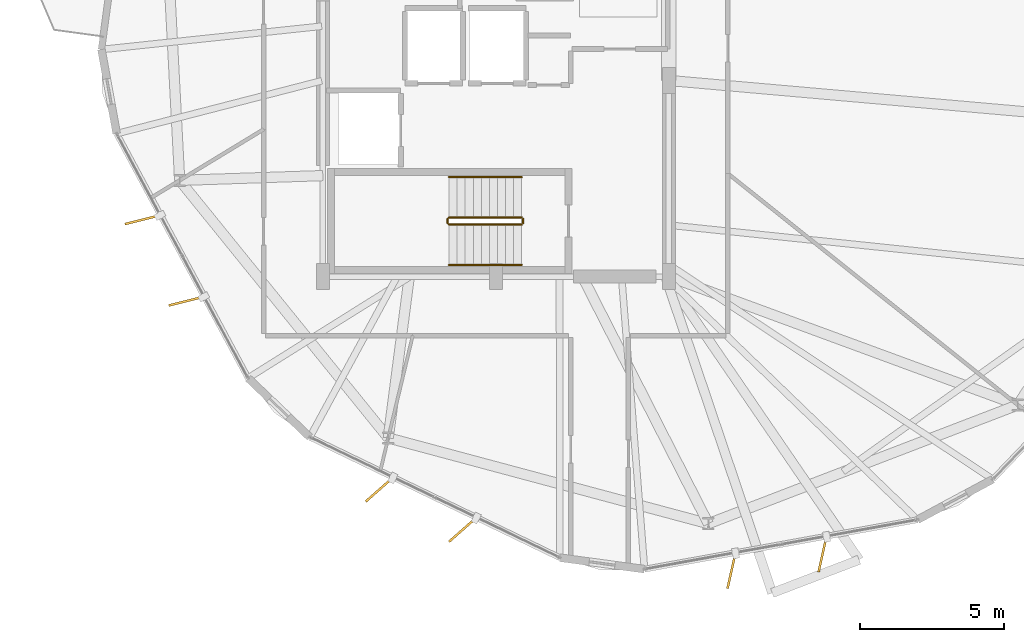
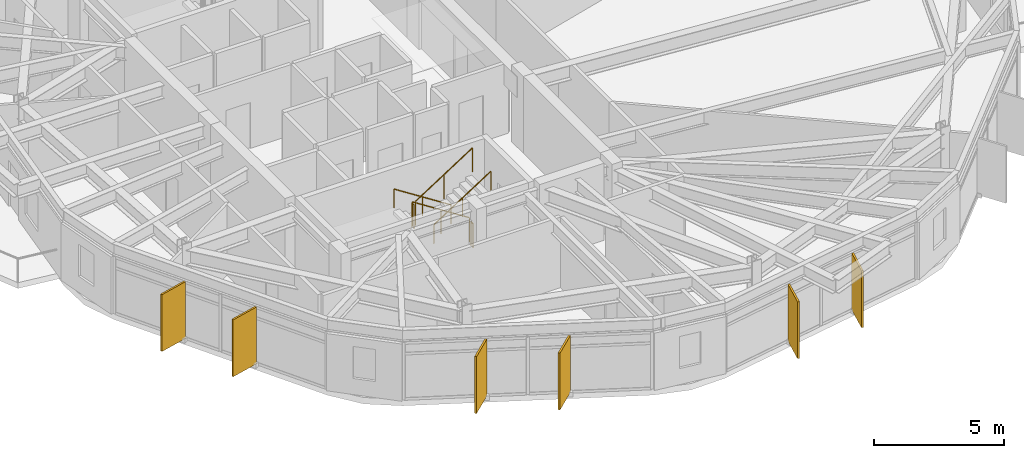
# One storey, part 25 of 27: 6 railings, 6 shading devices.
"""IFC4 building model written with IfcOpenShell, lengths in metres."""

from ifc_helpers import new_model, si_unit, direction, frame, origin, origin_2d, place, context, subcontext, project, spatial, rectangle, circle, extrude, material, layer, layer_set, type_object, element, save


model = new_model("IFC4")

# Units and contexts
model_context = context("Model", 3, precision=1e-05, world=origin(), true_north=direction((0.0, 1.0)))
body_context = subcontext(model_context, "Body", "Model", "MODEL_VIEW")
ifc_project = project(units=[si_unit("LENGTHUNIT", "METRE"), si_unit("AREAUNIT", "SQUARE_METRE"), si_unit("VOLUMEUNIT", "CUBIC_METRE"), si_unit("PLANEANGLEUNIT", "RADIAN"), si_unit("MASSUNIT", "GRAM", prefix="KILO")], contexts=[model_context])

# Site, building, storey
site_placement = place(None, origin())
site = spatial("IfcSite", under=ifc_project, at=site_placement, CompositionType="ELEMENT")
building_placement = place(site_placement, origin())
building = spatial("IfcBuilding", under=site, at=building_placement, Name="Soratama Intermodal Tower", CompositionType="ELEMENT")
storey_placement = place(building_placement, frame((0.0, 0.0, 208.60009765625)))
storey = spatial("IfcBuildingStorey", under=building, at=storey_placement, Name="L52", CompositionType="ELEMENT", Elevation=208.60009765625)

# Railings
ifc_material_1 = material(Name="Painted steel stair guardrail", Category="steel")
railing_type_1 = type_object("IfcRailingType", Name="RL-STAIR-GUARD", PredefinedType="GUARDRAIL", material=ifc_material_1)
railing_1_placement = place(storey_placement, frame((39.5, 17.050048828125, 0.179931640625)))
element("IfcRailing", 1, at=railing_1_placement, inside=storey, type_object=railing_type_1, Name="L52 ST-1 stair guard 1", PredefinedType="GUARDRAIL", context=body_context, shape_type="SweptSolid", body=[
    extrude(circle(Radius=0.02392578125, at=origin_2d()), frame((0.0, 0.0, 1.1259765625), z_axis=(-0.841199657755, 0.0, 0.540724639528), x_axis=(0.0, -1.0, 0.0)), (0.0, 0.0, 1.0), 2.995849609375),
    extrude(circle(Radius=0.02099609375, at=origin_2d()), origin(), (0.0, 0.0, 1.0), 1.101806640625),
    extrude(circle(Radius=0.02099609375, at=origin_2d()), frame((-1.260009765625, 0.0, 0.81005859375)), (0.0, 0.0, 1.0), 1.101806640625),
    extrude(circle(Radius=0.02099609375, at=origin_2d()), frame((-2.52001953125, 0.0, 1.619873046875)), (0.0, 0.0, 1.0), 1.101806640625),
])
railing_2_placement = place(storey_placement, frame((36.929931640625, 17.0, 1.7998046875)))
element("IfcRailing", 2, at=railing_2_placement, inside=storey, type_object=railing_type_1, Name="L52 ST-1 stair guard 2", PredefinedType="GUARDRAIL", context=body_context, shape_type="SweptSolid", body=[
    extrude(circle(Radius=0.02392578125, at=origin_2d()), frame((0.0, 0.0, 1.1259765625), z_axis=(0.0, -1.0, 0.0), x_axis=(1.0, 0.0, 0.0)), (0.0, 0.0, 1.0), 0.14990234375),
    extrude(circle(Radius=0.02099609375, at=origin_2d()), origin(), (0.0, 0.0, 1.0), 1.101806640625),
    extrude(circle(Radius=0.02099609375, at=origin_2d()), frame((0.0, -0.14990234375, 0.0)), (0.0, 0.0, 1.0), 1.101806640625),
])
railing_3_placement = place(storey_placement, frame((36.97998046875, 16.800048828125, 1.97998046875)))
element("IfcRailing", 3, at=railing_3_placement, inside=storey, type_object=railing_type_1, Name="L52 ST-1 stair guard 3", PredefinedType="GUARDRAIL", context=body_context, shape_type="SweptSolid", body=[
    extrude(circle(Radius=0.02392578125, at=origin_2d()), frame((0.0, 0.0, 1.1259765625), z_axis=(0.841199657755, 0.0, 0.540724639528), x_axis=(0.0, 1.0, 0.0)), (0.0, 0.0, 1.0), 2.995849609375),
    extrude(circle(Radius=0.02099609375, at=origin_2d()), origin(), (0.0, 0.0, 1.0), 1.101806640625),
    extrude(circle(Radius=0.02099609375, at=origin_2d()), frame((1.260009765625, 0.0, 0.81005859375)), (0.0, 0.0, 1.0), 1.101806640625),
    extrude(circle(Radius=0.02099609375, at=origin_2d()), frame((2.52001953125, 0.0, 1.619873046875)), (0.0, 0.0, 1.0), 1.101806640625),
])
railing_4_placement = place(storey_placement, frame((39.550048828125, 17.0, 0.0)))
element("IfcRailing", 4, at=railing_4_placement, inside=storey, type_object=railing_type_1, Name="L52 ST-1 stair guard 4", PredefinedType="GUARDRAIL", context=body_context, shape_type="SweptSolid", body=[
    extrude(circle(Radius=0.02392578125, at=origin_2d()), frame((0.0, 0.0, 1.1259765625), z_axis=(0.0, -1.0, 0.0), x_axis=(1.0, 0.0, 0.0)), (0.0, 0.0, 1.0), 0.14990234375),
    extrude(circle(Radius=0.02099609375, at=origin_2d()), origin(), (0.0, 0.0, 1.0), 1.101806640625),
    extrude(circle(Radius=0.02099609375, at=origin_2d()), frame((0.0, -0.14990234375, 0.0)), (0.0, 0.0, 1.0), 1.101806640625),
])
ifc_material_2 = material(Name="Brushed stainless steel handrail", Category="steel")
railing_type_2 = type_object("IfcRailingType", Name="RL-STAIR-HAND", PredefinedType="HANDRAIL", material=ifc_material_2)
railing_5_placement = place(storey_placement, frame((39.5, 18.449951171875, 0.179931640625)))
element("IfcRailing", 5, at=railing_5_placement, inside=storey, type_object=railing_type_2, Name="L52 ST-1 stair handrail 1", PredefinedType="HANDRAIL", context=body_context, shape_type="SweptSolid", body=[
    extrude(circle(Radius=0.02392578125, at=origin_2d()), frame((0.0, 0.0, 0.8759765625), z_axis=(-0.841199657755, 0.0, 0.540724639528), x_axis=(0.0, -1.0, 0.0)), (0.0, 0.0, 1.0), 2.995849609375),
    extrude(circle(Radius=0.02099609375, at=origin_2d()), origin(), (0.0, 0.0, 1.0), 0.851806640625),
    extrude(circle(Radius=0.02099609375, at=origin_2d()), frame((-1.260009765625, 0.0, 0.81005859375)), (0.0, 0.0, 1.0), 0.851806640625),
    extrude(circle(Radius=0.02099609375, at=origin_2d()), frame((-2.52001953125, 0.0, 1.619873046875)), (0.0, 0.0, 1.0), 0.851806640625),
])
railing_6_placement = place(storey_placement, frame((36.97998046875, 15.39990234375, 1.97998046875)))
element("IfcRailing", 6, at=railing_6_placement, inside=storey, type_object=railing_type_2, Name="L52 ST-1 stair handrail 2", PredefinedType="HANDRAIL", context=body_context, shape_type="SweptSolid", body=[
    extrude(circle(Radius=0.02392578125, at=origin_2d()), frame((0.0, 0.0, 0.8759765625), z_axis=(0.841199657755, 0.0, 0.540724639528), x_axis=(0.0, 1.0, 0.0)), (0.0, 0.0, 1.0), 2.995849609375),
    extrude(circle(Radius=0.02099609375, at=origin_2d()), origin(), (0.0, 0.0, 1.0), 0.851806640625),
    extrude(circle(Radius=0.02099609375, at=origin_2d()), frame((1.260009765625, 0.0, 0.81005859375)), (0.0, 0.0, 1.0), 0.851806640625),
    extrude(circle(Radius=0.02099609375, at=origin_2d()), frame((2.52001953125, 0.0, 1.619873046875)), (0.0, 0.0, 1.0), 0.851806640625),
])

# Shading devices
ifc_material_3 = material(Name="Champagne anodised aluminium solar fin", Category="aluminium")
ifc_layer = layer(ifc_material_3, 0.080078125)
ifc_layer_set = layer_set([ifc_layer], Name="Champagne anodised aluminium solar fin")
shading_device_type = type_object("IfcShadingDeviceType", Name="SH-FIN-1250", PredefinedType="USERDEFINED", material=ifc_layer_set)
for number, where, z_axis, x_axis, name in (
    (7, (26.342529296875, 16.970458984375, 0.02001953125), (0.0, 0.0, 1.0), (-0.969659051809, -0.244461291916, 0.0), "L52 Solar Fin F05-1"),
    (8, (27.861328125, 14.144775390625, 0.02001953125), (0.0, 0.0, 1.0), (-0.969659051809, -0.244461291916, 0.0), "L52 Solar Fin F05-2"),
    (9, (34.55517578125, 7.605712890625, 0.02001953125), (0.0, 0.0, 1.0), (-0.74976470474, -0.661704531892, 0.0), "L52 Solar Fin F06-1"),
    (10, (37.44482421875, 6.21240234375, 0.02001953125), (0.0, 0.0, 1.0), (-0.74976470474, -0.661704531892, 0.0), "L52 Solar Fin F06-2"),
    (11, (46.774169921875, 4.788330078125, 0.02001953125), (0.0, 0.0, 1.0), (-0.217632222696, -0.976030847691, 0.0), "L52 Solar Fin F07-1"),
    (12, (49.930908203125, 5.35986328125, 0.02001953125), (0.0, 0.0, 1.0), (-0.217632222696, -0.976030847691, 0.0), "L52 Solar Fin F07-2"),
):
    element("IfcShadingDevice", number, at=place(storey_placement, frame(where, z_axis=z_axis, x_axis=x_axis)), inside=storey, type_object=shading_device_type, Name=name, ObjectType="FIN", PredefinedType="USERDEFINED", context=body_context, shape_type="SweptSolid", body=[
        extrude(rectangle(XDim=1.25, YDim=0.080078125, at=origin_2d()), origin(), (0.0, 0.0, 1.0), 2.658935546875),
    ])

save(model, "model.ifc")
